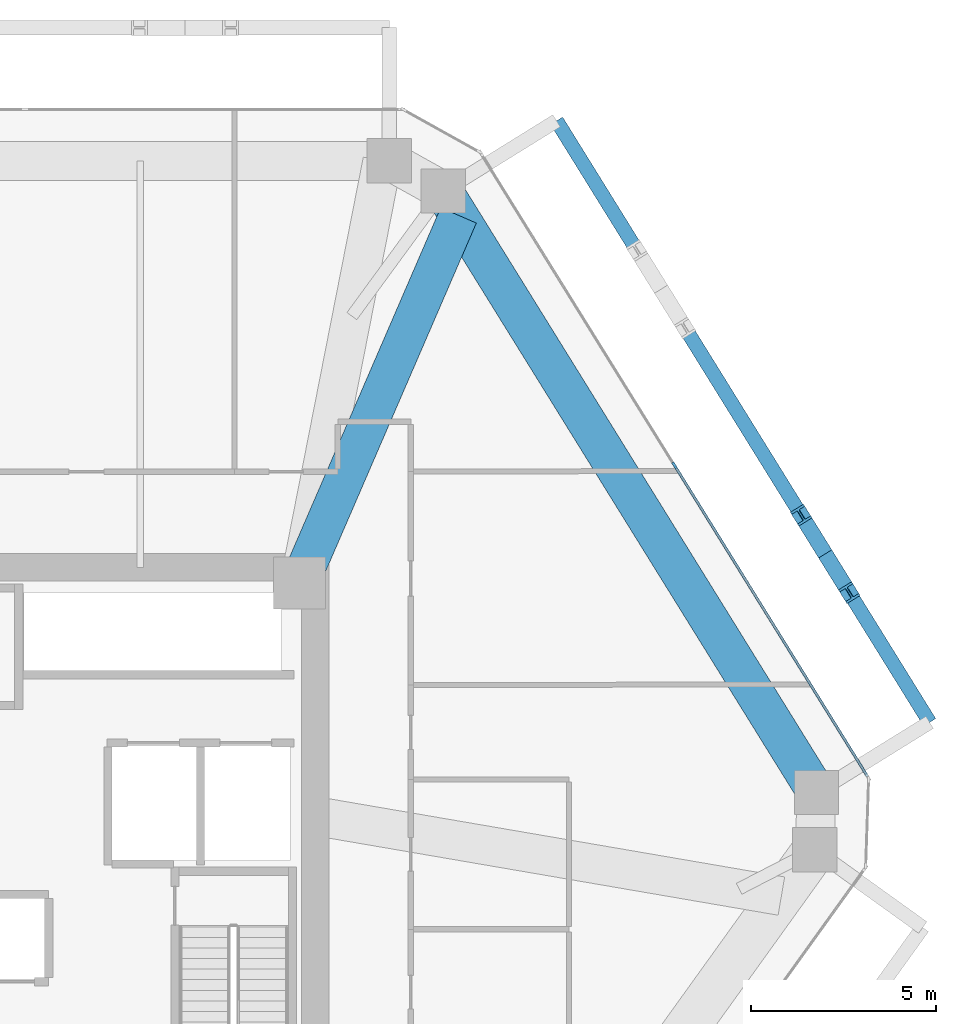
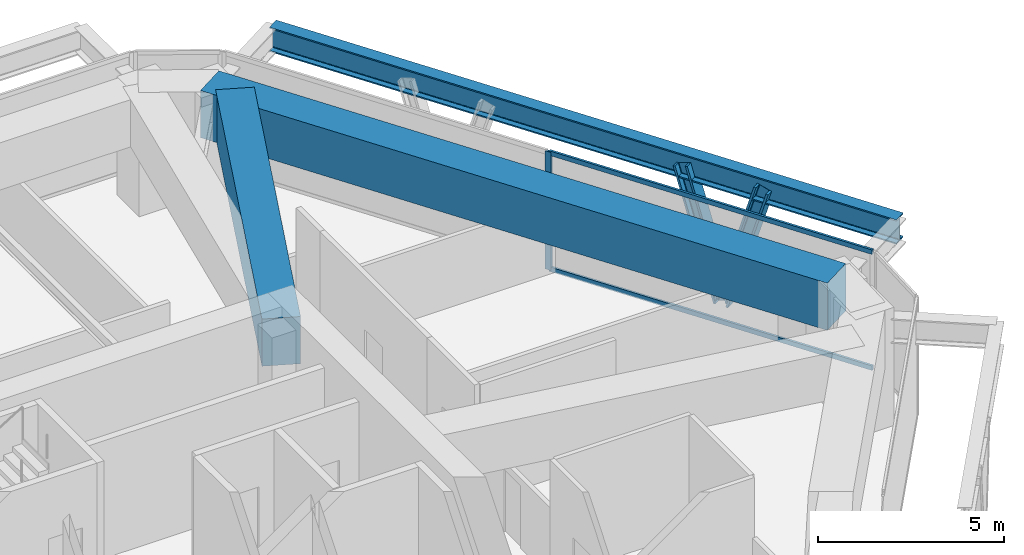
# One storey, part 6 of 14: 5 members, 3 beams, 1 element without a shape of its own.
"""IFC4 building model written with IfcOpenShell, lengths in metres."""

from ifc_helpers import new_model, si_unit, direction, frame, origin, origin_2d, place, context, subcontext, project, spatial, rectangle, i_section, extrude, source, transform, mapped, material, layer, layer_set, material_profile, profile_set, type_object, type_shapes, element, aggregate, save


model = new_model("IFC4")

# Units and contexts
model_context = context("Model", 3, precision=1e-05, world=origin(), true_north=direction((0.0, 1.0)))
body_context = subcontext(model_context, "Body", "Model", "MODEL_VIEW")
ifc_project = project(units=[si_unit("LENGTHUNIT", "METRE"), si_unit("AREAUNIT", "SQUARE_METRE"), si_unit("VOLUMEUNIT", "CUBIC_METRE"), si_unit("PLANEANGLEUNIT", "RADIAN"), si_unit("MASSUNIT", "GRAM", prefix="KILO")], contexts=[model_context])

# Site, building, storey
site_placement = place(None, origin())
site = spatial("IfcSite", under=ifc_project, at=site_placement, CompositionType="ELEMENT")
building_placement = place(site_placement, origin())
building = spatial("IfcBuilding", under=site, at=building_placement, Name="Durnholm Broadcast Tower", CompositionType="ELEMENT")
storey_placement = place(building_placement, frame((0.0, 0.0, 146.10009765625)))
storey = spatial("IfcBuildingStorey", under=building, at=storey_placement, Name="L40", CompositionType="ELEMENT", Elevation=146.10009765625)

# Beams
ifc_material_1 = material(Name="Steel ASTM A992 Grade 50", Category="steel")
ifc_material_profile_1 = material_profile(ifc_material_1, i_section(OverallWidth=0.385009765625, OverallDepth=0.802978515625, WebThickness=0.023681640625, FlangeThickness=0.0419921875, FilletRadius=0.032958984375, at=origin_2d()), Name="W30X261")
ifc_profile_set_1 = profile_set([ifc_material_profile_1], Name="Steel ASTM A992 Grade 50")
beam_type_1 = type_object("IfcBeamType", Name="BM-EXO-TIE", PredefinedType="USERDEFINED", material=ifc_profile_set_1)
shared_shape_1 = source(origin(), body_context, "Body", "SweptSolid", [
    extrude(i_section(OverallWidth=0.385009765625, OverallDepth=0.802978515625, WebThickness=0.023681640625, FlangeThickness=0.0419921875, FilletRadius=0.032958984375, at=origin_2d()), origin(), (0.0, 0.0, 1.0), 19.139404296875),
])
type_shapes(beam_type_1, [shared_shape_1])
beam_1_placement = place(storey_placement, frame((26.840087890625, 4.0341796875, 3.12841796875), z_axis=(-0.527111038734, 0.84979641847, 0.0), x_axis=(-0.84979641847, -0.527111038734, 0.0)))
element("IfcBeam", 1, at=beam_1_placement, inside=storey, type_object=beam_type_1, Name="L40 exoskeleton collector spandrel F3", PredefinedType="SPANDREL", context=body_context, shape_type="MappedRepresentation", body=[
    mapped(shared_shape_1, transform((0.0, 0.0, 0.0), x_axis=(1.0, 0.0, 0.0), y_axis=(0.0, 1.0, 0.0), z_axis=(0.0, 0.0, 1.0), scale=1.0)),
])
ifc_material_2 = material(Name="Concrete C70/85", Category="concrete")
ifc_material_profile_2 = material_profile(ifc_material_2, rectangle(XDim=1.050048828125, YDim=1.550048828125, at=origin_2d()), Name="RC1050X1550")
ifc_profile_set_2 = profile_set([ifc_material_profile_2], Name="Concrete C70/85")
beam_type_2 = type_object("IfcBeamType", Name="BM-TG-RC1550", PredefinedType="USERDEFINED", material=ifc_profile_set_2)
shared_shape_2 = source(origin(), body_context, "Body", "SweptSolid", [
    extrude(rectangle(XDim=1.050048828125, YDim=1.550048828125, at=origin_2d()), origin(), (0.0, 0.0, 1.0), 19.139404296875),
])
beam_2_placement = place(storey_placement, frame((13.692138671875, 18.4013671875, 3.10498046875), z_axis=(0.527111038734, -0.84979641847, 0.0), x_axis=(0.84979641847, 0.527111038734, 0.0)))
element("IfcBeam", 2, at=beam_2_placement, inside=storey, type_object=beam_type_2, Name="L40 perimeter transfer spandrel girder 07", PredefinedType="SPANDREL", context=body_context, shape_type="MappedRepresentation", body=[
    mapped(shared_shape_2, transform((0.0, 0.0, 0.0), x_axis=(1.0, 0.0, 0.0), y_axis=(0.0, 1.0, 0.0), z_axis=(0.0, 0.0, 1.0), scale=1.0)),
])
shared_shape_3 = source(origin(), body_context, "Body", "SweptSolid", [
    extrude(rectangle(XDim=1.050048828125, YDim=1.550048828125, at=origin_2d()), origin(), (0.0, 0.0, 1.0), 10.8330078125),
])
type_shapes(beam_type_2, [shared_shape_2, shared_shape_3])
beam_3_placement = place(storey_placement, frame((9.800048828125, 7.800048828125, 3.10498046875), z_axis=(0.39698247614, 0.917826189231, 0.0), x_axis=(-0.917826189231, 0.39698247614, 0.0)))
element("IfcBeam", 3, at=beam_3_placement, inside=storey, type_object=beam_type_2, Name="L40 radial setback transfer girder 07", ObjectType="GIRDER", PredefinedType="USERDEFINED", context=body_context, shape_type="MappedRepresentation", body=[
    mapped(shared_shape_3, transform((0.0, 0.0, 0.0), x_axis=(1.0, 0.0, 0.0), y_axis=(0.0, 1.0, 0.0), z_axis=(0.0, 0.0, 1.0), scale=1.0)),
])

# Members
ifc_material_3 = material(Name="Steel ASTM A913 Grade 65", Category="steel")
ifc_material_profile_3 = material_profile(ifc_material_3, i_section(OverallWidth=0.41845703125, OverallDepth=0.455078125, WebThickness=0.0419921875, FlangeThickness=0.067626953125, FilletRadius=0.030517578125, at=origin_2d()), Name="W14X370")
ifc_profile_set_3 = profile_set([ifc_material_profile_3], Name="Steel ASTM A913 Grade 65")
member_type_1 = type_object("IfcMemberType", Name="STL-DG-W14X370", PredefinedType="BRACE", material=ifc_profile_set_3)
shared_shape_4 = source(origin(), body_context, "Body", "SweptSolid", [
    extrude(i_section(OverallWidth=0.41845703125, OverallDepth=0.455078125, WebThickness=0.0419921875, FlangeThickness=0.067626953125, FilletRadius=0.030517578125, at=origin_2d()), origin(), (0.0, 0.0, 1.0), 4.30078125),
])
member_1_placement = place(storey_placement, frame((24.01513671875, 8.58837890625, -0.991455078125), z_axis=(0.151229547448, -0.243817907766, 0.95795743738), x_axis=(0.849805205368, 0.527096872433, 0.0)))
element("IfcMember", 4, at=member_1_placement, inside=storey, type_object=member_type_1, Name="L40 stand-off diagrid brace F3.D1.1", PredefinedType="BRACE", context=body_context, shape_type="MappedRepresentation", body=[
    mapped(shared_shape_4, transform((0.0, 0.0, 0.0), x_axis=(1.0, 0.0, 0.0), y_axis=(0.0, 1.0, 0.0), z_axis=(0.0, 0.0, 1.0), scale=1.0)),
])
shared_shape_5 = source(origin(), body_context, "Body", "SweptSolid", [
    extrude(i_section(OverallWidth=0.41845703125, OverallDepth=0.455078125, WebThickness=0.0419921875, FlangeThickness=0.067626953125, FilletRadius=0.030517578125, at=origin_2d()), origin(), (0.0, 0.0, 1.0), 4.300537109375),
])
type_shapes(member_type_1, [shared_shape_4, shared_shape_5])
member_2_placement = place(storey_placement, frame((24.01513671875, 8.58837890625, -0.991455078125), z_axis=(-0.151231640418, 0.243764513497, 0.957970695218), x_axis=(-0.849750220063, -0.527185511469, 0.0)))
element("IfcMember", 5, at=member_2_placement, inside=storey, type_object=member_type_1, Name="L40 stand-off diagrid brace F3.D1.2", PredefinedType="BRACE", context=body_context, shape_type="MappedRepresentation", body=[
    mapped(shared_shape_5, transform((0.0, 0.0, 0.0), x_axis=(1.0, 0.0, 0.0), y_axis=(0.0, 1.0, 0.0), z_axis=(0.0, 0.0, 1.0), scale=1.0)),
])

# Curtain wall, members
ifc_material_4 = material(Name="Aluminium and Solar Control IGU", Category="aluminium")
ifc_layer = layer(ifc_material_4, 0.18994140625)
ifc_layer_set = layer_set([ifc_layer], Name="Aluminium and Solar Control IGU")
curtain_wall_type = type_object("IfcCurtainWallType", Name="CW-SYS-3", PredefinedType="NOTDEFINED", material=ifc_layer_set)
curtain_wall_placement = place(storey_placement, origin())
curtain_wall = element("IfcCurtainWall", 6, at=curtain_wall_placement, inside=storey, type_object=curtain_wall_type, Name="L40 curtain wall CW-Z12-VIS CW-L40-F06", PredefinedType="NOTDEFINED")
ifc_material_5 = material(Name="Aluminium 6063-T6", Category="aluminium")
ifc_material_profile_4 = material_profile(ifc_material_5, rectangle(XDim=0.070068359375, YDim=0.14990234375, at=origin_2d()), Name="CWT70X150")
ifc_profile_set_4 = profile_set([ifc_material_profile_4], Name="Aluminium 6063-T6")
member_type_2 = type_object("IfcMemberType", Name="CW-SYS-3-TRN", PredefinedType="USERDEFINED", material=ifc_profile_set_4)
shared_shape_6 = source(origin(), body_context, "Body", "SweptSolid", [
    extrude(rectangle(XDim=0.070068359375, YDim=0.14990234375, at=origin_2d()), origin(), (0.0, 0.0, 1.0), 9.859130859375),
])
type_shapes(member_type_2, [shared_shape_6])
member_3_placement = place(storey_placement, frame((19.960693359375, 10.951171875, 0.034912109375), z_axis=(0.527108872232, -0.849797762303, 0.0), x_axis=(0.849797762303, 0.527108872232, 0.0)))
member_3 = element("IfcMember", 7, at=member_3_placement, type_object=member_type_2, Name="CW-Z12-VIS transom 2.1", ObjectType="TRANSOM", PredefinedType="USERDEFINED", context=body_context, shape_type="MappedRepresentation", body=[
    mapped(shared_shape_6, transform((0.0, 0.0, 0.0), x_axis=(1.0, 0.0, 0.0), y_axis=(0.0, 1.0, 0.0), z_axis=(0.0, 0.0, 1.0), scale=1.0)),
])
member_4_placement = place(storey_placement, frame((19.960693359375, 10.951171875, 3.844970703125), z_axis=(0.527108872232, -0.849797762303, 0.0), x_axis=(0.849797762303, 0.527108872232, 0.0)))
member_4 = element("IfcMember", 8, at=member_4_placement, type_object=member_type_2, Name="CW-Z12-VIS transom 2.2", ObjectType="TRANSOM", PredefinedType="USERDEFINED", context=body_context, shape_type="MappedRepresentation", body=[
    mapped(shared_shape_6, transform((0.0, 0.0, 0.0), x_axis=(1.0, 0.0, 0.0), y_axis=(0.0, 1.0, 0.0), z_axis=(0.0, 0.0, 1.0), scale=1.0)),
])
ifc_material_profile_5 = material_profile(ifc_material_5, rectangle(XDim=0.070068359375, YDim=0.18994140625, at=origin_2d()), Name="CWM70X190")
ifc_profile_set_5 = profile_set([ifc_material_profile_5], Name="Aluminium 6063-T6")
member_type_3 = type_object("IfcMemberType", Name="CW-SYS-3-MUL", PredefinedType="MULLION", material=ifc_profile_set_5)
shared_shape_7 = source(origin(), body_context, "Body", "SweptSolid", [
    extrude(rectangle(XDim=0.070068359375, YDim=0.18994140625, at=origin_2d()), origin(), (0.0, 0.0, 1.0), 3.8798828125),
])
type_shapes(member_type_3, [shared_shape_7])
member_5_placement = place(storey_placement, frame((19.9423828125, 10.980712890625, 0.0), z_axis=(0.0, 0.0, 1.0), x_axis=(0.849799925229, 0.527105385176, 0.0)))
member_5 = element("IfcMember", 9, at=member_5_placement, type_object=member_type_3, Name="CW-Z12-VIS mullion 2", PredefinedType="MULLION", context=body_context, shape_type="MappedRepresentation", body=[
    mapped(shared_shape_7, transform((0.0, 0.0, 0.0), x_axis=(1.0, 0.0, 0.0), y_axis=(0.0, 1.0, 0.0), z_axis=(0.0, 0.0, 1.0), scale=1.0)),
])
aggregate(curtain_wall, [member_5, member_3, member_4])

save(model, "model.ifc")
